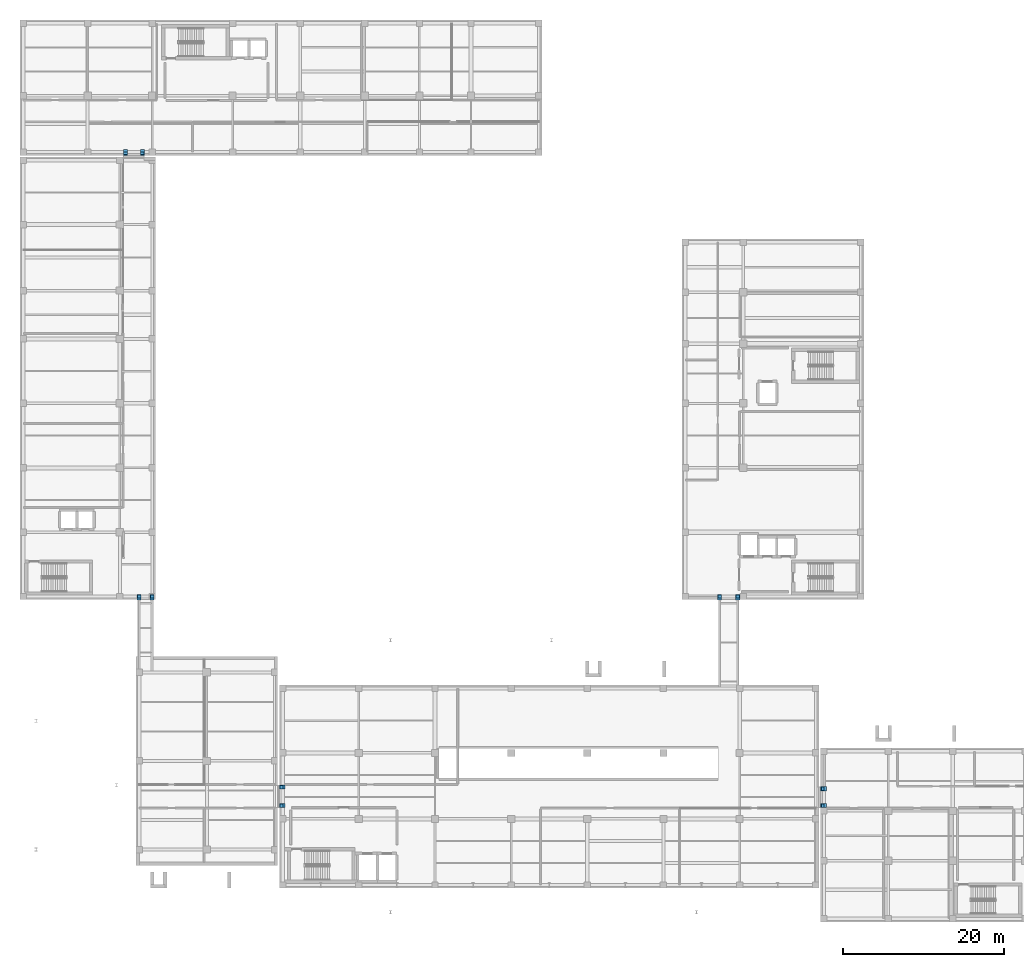
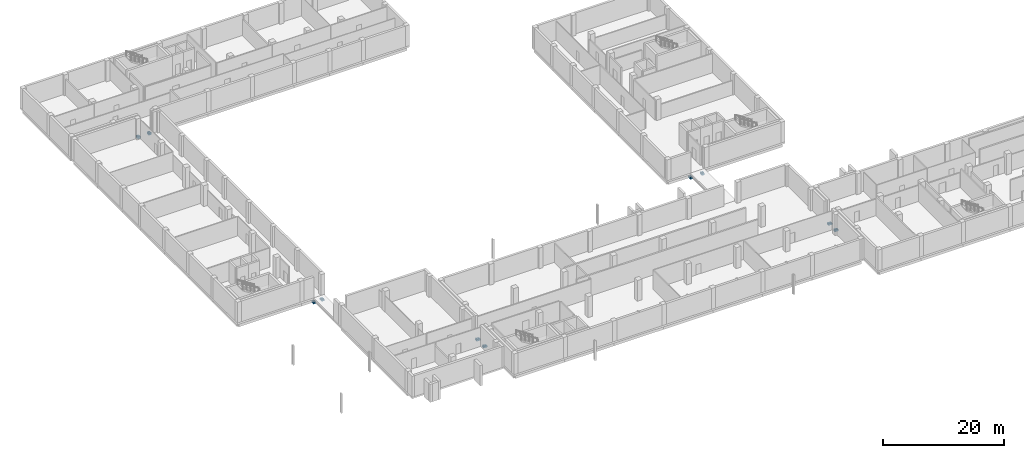
# One storey, part 25 of 31: 20 discrete accessories.
"""IFC4 building model written with IfcOpenShell, lengths in metres."""

from ifc_helpers import new_model, si_unit, direction, frame, origin, origin_2d, place, context, subcontext, project, spatial, rectangle, extrude, material, type_object, element, save


model = new_model("IFC4")

# Units and contexts
model_context = context("Model", 3, precision=1e-05, world=origin(), true_north=direction((0.0, 1.0)))
body_context = subcontext(model_context, "Body", "Model", "MODEL_VIEW")
ifc_project = project(units=[si_unit("LENGTHUNIT", "METRE"), si_unit("AREAUNIT", "SQUARE_METRE"), si_unit("VOLUMEUNIT", "CUBIC_METRE"), si_unit("PLANEANGLEUNIT", "RADIAN"), si_unit("MASSUNIT", "GRAM", prefix="KILO")], contexts=[model_context])

# Site, building, storey
site_placement = place(None, origin())
site = spatial("IfcSite", under=ifc_project, at=site_placement, CompositionType="ELEMENT")
building_placement = place(site_placement, origin())
building = spatial("IfcBuilding", under=site, at=building_placement, Name="Qalavern Law Courts", CompositionType="ELEMENT")
storey_placement = place(building_placement, frame((0.0, 0.0, -4.199951171875)))
storey = spatial("IfcBuildingStorey", under=building, at=storey_placement, Name="B1", CompositionType="ELEMENT", Elevation=-4.199951171875)

# Discrete accessories
ifc_material_1 = material(Name="Concrete C45/55", Category="concrete")
discrete_accessory_type_1 = type_object("IfcDiscreteAccessoryType", Name="STR-CORBEL-700", PredefinedType="BRACKET", material=ifc_material_1)
for number, where, z_axis, x_axis, name in (
    (1, (34.570068359375, 15.449951171875, -0.72021484375), (0.0, 0.0, 1.0), (1.0, 0.0, 0.0), "Bridge BR-V1-V2 700 mm corbel seat 1 B1"),
    (2, (34.570068359375, 17.75, -0.72021484375), (0.0, 0.0, 1.0), (1.0, 0.0, 0.0), "Bridge BR-V1-V2 700 mm corbel seat 2 B1"),
    (3, (101.77001953125, 15.449951171875, -0.72021484375), (0.0, 0.0, 1.0), (1.0, 0.0, 0.0), "Bridge BR-V2-V6 700 mm corbel seat 1 B1"),
    (4, (101.77001953125, 17.550048828125, -0.72021484375), (0.0, 0.0, 1.0), (1.0, 0.0, 0.0), "Bridge BR-V2-V6 700 mm corbel seat 2 B1"),
):
    element("IfcDiscreteAccessory", number, at=place(storey_placement, frame(where, z_axis=z_axis, x_axis=x_axis)), inside=storey, type_object=discrete_accessory_type_1, Name=name, PredefinedType="BRACKET", context=body_context, shape_type="SweptSolid", body=[
        extrude(rectangle(XDim=0.699951171875, YDim=0.5, at=origin_2d()), origin(), (0.0, 0.0, 1.0), 0.320068359375),
    ])
for number, where, z_axis, x_axis, name in (
    (5, (16.800048828125, 41.320068359375, -1.27001953125), (0.0, 0.0, 1.0), (1.0, 0.0, 0.0), "Bridge BR-V1-V3 700 mm corbel seat 1 B1"),
    (6, (18.39990234375, 41.320068359375, -1.27001953125), (0.0, 0.0, 1.0), (1.0, 0.0, 0.0), "Bridge BR-V1-V3 700 mm corbel seat 2 B1"),
    (7, (88.8798828125, 41.320068359375, -1.27001953125), (0.0, 0.0, 1.0), (1.0, 0.0, 0.0), "Bridge BR-V2-V4 700 mm corbel seat 1 B1"),
    (8, (91.1201171875, 41.320068359375, -1.27001953125), (0.0, 0.0, 1.0), (1.0, 0.0, 0.0), "Bridge BR-V2-V4 700 mm corbel seat 2 B1"),
    (9, (15.10009765625, 96.550048828125, -0.72021484375), (0.0, 0.0, 1.0), (1.0, 0.0, 0.0), "Bridge BR-V3-V5 700 mm corbel seat 1 B1"),
    (10, (17.199951171875, 96.550048828125, -0.72021484375), (0.0, 0.0, 1.0), (1.0, 0.0, 0.0), "Bridge BR-V3-V5 700 mm corbel seat 2 B1"),
):
    element("IfcDiscreteAccessory", number, at=place(storey_placement, frame(where, z_axis=z_axis, x_axis=x_axis)), inside=storey, type_object=discrete_accessory_type_1, Name=name, PredefinedType="BRACKET", context=body_context, shape_type="SweptSolid", body=[
        extrude(rectangle(XDim=0.5, YDim=0.699951171875, at=origin_2d()), origin(), (0.0, 0.0, 1.0), 0.320068359375),
    ])
ifc_material_2 = material(Name="Steel S355", Category="steel")
discrete_accessory_type_2 = type_object("IfcDiscreteAccessoryType", Name="STR-SHOE-PTFE350", PredefinedType="SHOE", material=ifc_material_2)
for number, where, z_axis, x_axis, name in (
    (11, (34.469970703125, 15.449951171875, -0.400146484375), (0.0, 0.0, 1.0), (1.0, 0.0, 0.0), "Seismic bridge PTFE sliding bearing 01"),
    (12, (34.469970703125, 17.75, -0.400146484375), (0.0, 0.0, 1.0), (1.0, 0.0, 0.0), "Seismic bridge PTFE sliding bearing 02"),
    (13, (101.669921875, 15.449951171875, -0.400146484375), (0.0, 0.0, 1.0), (1.0, 0.0, 0.0), "Seismic bridge PTFE sliding bearing 13"),
    (14, (101.669921875, 17.550048828125, -0.400146484375), (0.0, 0.0, 1.0), (1.0, 0.0, 0.0), "Seismic bridge PTFE sliding bearing 14"),
):
    element("IfcDiscreteAccessory", number, at=place(storey_placement, frame(where, z_axis=z_axis, x_axis=x_axis)), inside=storey, type_object=discrete_accessory_type_2, Name=name, PredefinedType="SHOE", context=body_context, shape_type="SweptSolid", body=[
        extrude(rectangle(XDim=0.35009765625, YDim=0.449951171875, at=origin_2d()), origin(), (0.0, 0.0, 1.0), 0.080078125),
    ])
for number, where, z_axis, x_axis, name in (
    (15, (16.800048828125, 41.419921875, -0.9501953125), (0.0, 0.0, 1.0), (1.0, 0.0, 0.0), "Seismic bridge PTFE sliding bearing 23"),
    (16, (18.39990234375, 41.419921875, -0.9501953125), (0.0, 0.0, 1.0), (1.0, 0.0, 0.0), "Seismic bridge PTFE sliding bearing 24"),
    (17, (88.8798828125, 41.419921875, -0.9501953125), (0.0, 0.0, 1.0), (1.0, 0.0, 0.0), "Seismic bridge PTFE sliding bearing 33"),
    (18, (91.1201171875, 41.419921875, -0.9501953125), (0.0, 0.0, 1.0), (1.0, 0.0, 0.0), "Seismic bridge PTFE sliding bearing 34"),
    (19, (15.10009765625, 96.449951171875, -0.400146484375), (0.0, 0.0, 1.0), (1.0, 0.0, 0.0), "Seismic bridge PTFE sliding bearing 43"),
    (20, (17.199951171875, 96.449951171875, -0.400146484375), (0.0, 0.0, 1.0), (1.0, 0.0, 0.0), "Seismic bridge PTFE sliding bearing 44"),
):
    element("IfcDiscreteAccessory", number, at=place(storey_placement, frame(where, z_axis=z_axis, x_axis=x_axis)), inside=storey, type_object=discrete_accessory_type_2, Name=name, PredefinedType="SHOE", context=body_context, shape_type="SweptSolid", body=[
        extrude(rectangle(XDim=0.449951171875, YDim=0.35009765625, at=origin_2d()), origin(), (0.0, 0.0, 1.0), 0.080078125),
    ])

save(model, "model.ifc")
